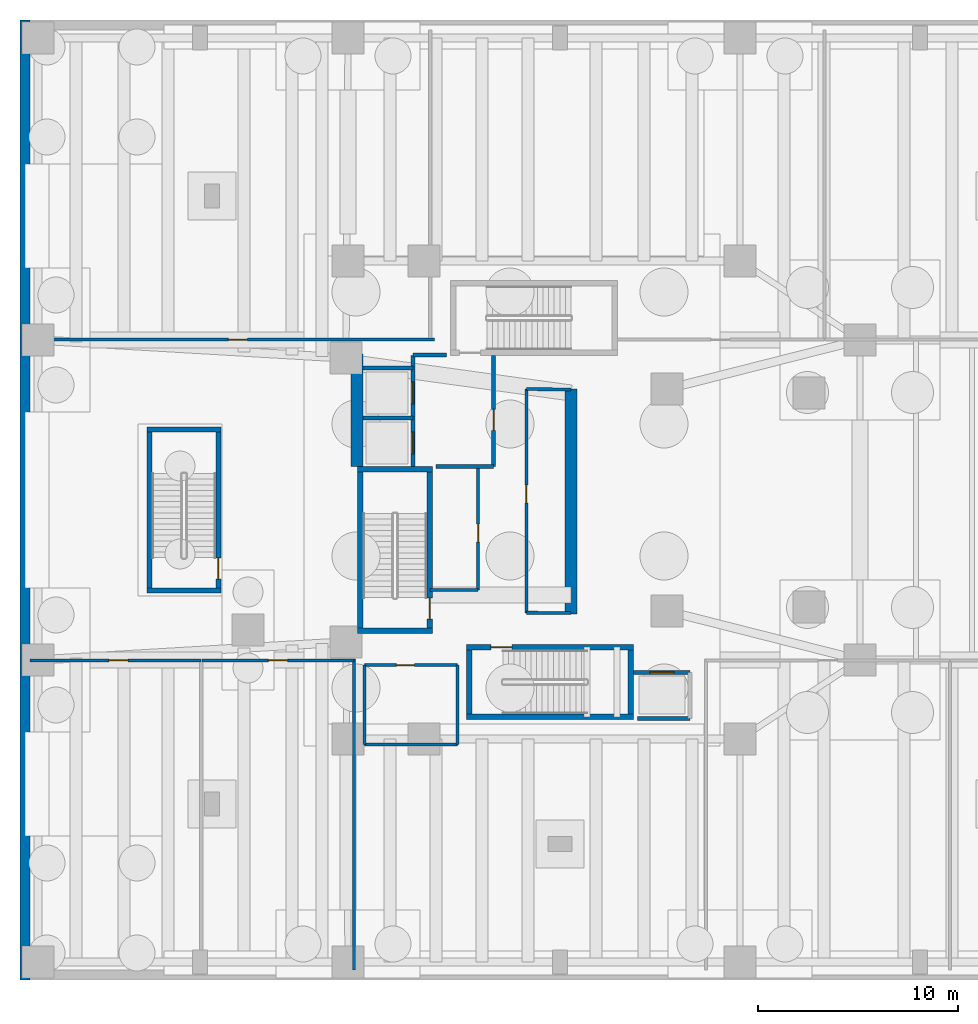
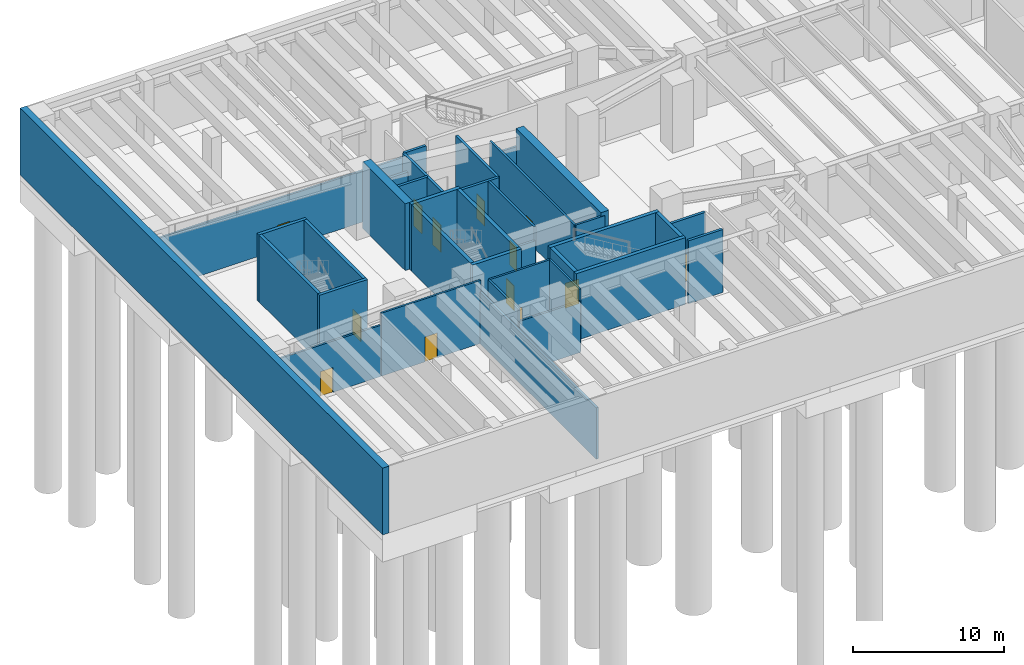
# One storey, part 4 of 10: 36 walls, 13 doors, 13 openings.
"""IFC4 building model written with IfcOpenShell, lengths in metres."""

import ifcopenshell
import ifcopenshell.guid

model = None  # the IFC model being written
_history = None  # IfcOwnerHistory: only IFC2X3 demands one
_inside = {}  # id of a spatial element -> (the spatial element, [elements in it])
_under = {}  # id of a project, library or spatial element -> (it, [spatial elements below it])
_declared = {}  # id of a project -> (the project, [libraries it declares])
_typed = {}  # id of a type object -> (the type object, [elements of that type])
_made_of = {}  # id of a material, layer set ... -> (it, [elements and type objects made of it])


def new_model(schema):
    """Start an empty IFC model of exactly this schema.

    Asked for "IFC4X3", IfcOpenShell would pick the latest addendum, in which some entities
    have other attributes; the version numbers below select the first issue.
    IFC2X3 requires an IfcOwnerHistory on every rooted entity: one is made here for all.
    """
    global model, _history
    if schema == "IFC4X3":
        model = ifcopenshell.file(schema_version=(4, 3, 0, 0))
    else:
        model = ifcopenshell.file(schema=schema)
    _inside.clear()
    _under.clear()
    _declared.clear()
    _typed.clear()
    _made_of.clear()
    _history = None
    if model.schema == "IFC2X3":
        org = make("IfcOrganization", Name="unknown")
        user = make(
            "IfcPersonAndOrganization",
            ThePerson=make("IfcPerson", FamilyName="unknown"),
            TheOrganization=org,
        )
        app = make(
            "IfcApplication",
            ApplicationDeveloper=org,
            Version="unknown",
            ApplicationFullName="unknown",
            ApplicationIdentifier="unknown",
        )
        _history = make(
            "IfcOwnerHistory",
            OwningUser=user,
            OwningApplication=app,
            ChangeAction="ADDED",
            CreationDate=0,
        )
    return model


def make(cls, **values):
    """One entity of the class cls with the attributes given. An attribute that is None is left unset."""
    return model.create_entity(
        cls, **{name: value for name, value in values.items() if value is not None}
    )


def rooted(cls, **values):
    """An entity with a GlobalId (a new one), such as an element, a storey or a relation."""
    return make(cls, GlobalId=ifcopenshell.guid.new(), OwnerHistory=_history, **values)


def si_unit(unit_type, name, prefix=None):
    """IfcSIUnit, for example si_unit("LENGTHUNIT", "METRE", prefix="MILLI")."""
    return make("IfcSIUnit", UnitType=unit_type, Prefix=prefix, Name=name)


def assignment(units):
    """IfcUnitAssignment: the units of a project."""
    return None if units is None else make("IfcUnitAssignment", Units=units)


def point(xyz):
    """IfcCartesianPoint."""
    return None if xyz is None else make("IfcCartesianPoint", Coordinates=xyz)


def direction(xyz):
    """IfcDirection."""
    return None if xyz is None else make("IfcDirection", DirectionRatios=xyz)


def frame(location, z_axis=None, x_axis=None):
    """IfcAxis2Placement3D, a coordinate frame: its origin and axes. An axis left out is left unset."""
    return make(
        "IfcAxis2Placement3D",
        Location=point(location),
        Axis=direction(z_axis),
        RefDirection=direction(x_axis),
    )


def frame_2d(location, x_axis=None):
    """IfcAxis2Placement2D, a coordinate frame in the plane: its origin and x axis."""
    return make(
        "IfcAxis2Placement2D", Location=point(location), RefDirection=direction(x_axis)
    )


def origin():
    """The frame at (0, 0, 0) with its axes left unset."""
    return frame((0.0, 0.0, 0.0))


def place(relative_to, where):
    """IfcLocalPlacement: puts the frame where relative to a parent placement (None: the world)."""
    return make(
        "IfcLocalPlacement", PlacementRelTo=relative_to, RelativePlacement=where
    )


def context(
    kind, dimensions, precision=None, world=None, true_north=None, identifier=None
):
    """IfcGeometricRepresentationContext, for example the 3D "Model" context."""
    return make(
        "IfcGeometricRepresentationContext",
        ContextIdentifier=identifier,
        ContextType=kind,
        CoordinateSpaceDimension=dimensions,
        Precision=precision,
        WorldCoordinateSystem=world,
        TrueNorth=true_north,
    )


def subcontext(parent, identifier, kind, view, scale=None):
    """IfcGeometricRepresentationSubContext, for example "Body" below "Model"."""
    return make(
        "IfcGeometricRepresentationSubContext",
        ContextIdentifier=identifier,
        ContextType=kind,
        ParentContext=parent,
        TargetScale=scale,
        TargetView=view,
    )


def project(units=None, contexts=None):
    """IfcProject with its units and contexts."""
    return rooted(
        "IfcProject",
        Name="project",
        RepresentationContexts=contexts,
        UnitsInContext=assignment(units),
    )


def spatial(cls, under=None, at=None, **own):
    """A site, building, storey or space (cls), placed at a placement, below another one or the project."""
    s = rooted(cls, ObjectPlacement=at, **own)
    if under is not None:
        _under.setdefault(under.id(), (under, []))[1].append(s)
    return s


def profile(cls, at=None, kind="AREA", **sizes):
    """A parametric profile (cls). Its sizes go by their IFC names, for example OverallWidth=200.0."""
    return make(cls, ProfileType=kind, Position=at, **sizes)


def rectangle(**sizes):
    """IfcRectangleProfileDef."""
    return profile("IfcRectangleProfileDef", **sizes)


def extrude(swept, where, along, depth):
    """IfcExtrudedAreaSolid: the profile swept, set in the frame where, extruded along a direction by depth."""
    return make(
        "IfcExtrudedAreaSolid",
        SweptArea=swept,
        Position=where,
        ExtrudedDirection=direction(along),
        Depth=depth,
    )


def shape(context_of_items, identifier, shape_type, items):
    """IfcShapeRepresentation: the items that make up one representation, for example the "Body"."""
    return make(
        "IfcShapeRepresentation",
        ContextOfItems=context_of_items,
        RepresentationIdentifier=identifier,
        RepresentationType=shape_type,
        Items=items,
    )


def material(Name=None, Category=None):
    """IfcMaterial."""
    return make("IfcMaterial", Name=Name, Category=Category)


def layer(
    of_material, thickness, ventilated=None, Name=None, Category=None, Priority=None
):
    """IfcMaterialLayer: one layer of a wall or slab, of a material (None: an air gap)."""
    return make(
        "IfcMaterialLayer",
        Material=of_material,
        LayerThickness=thickness,
        IsVentilated=ventilated,
        Name=Name,
        Category=Category,
        Priority=Priority,
    )


def layer_set(layers, Name=None):
    """IfcMaterialLayerSet."""
    return make("IfcMaterialLayerSet", MaterialLayers=layers, LayerSetName=Name)


def made_of(thing, what):
    """Note that an element or type object is made of a material, layer set ...; save() writes the relation."""
    if what is not None:
        _made_of.setdefault(what.id(), (what, []))[1].append(thing)
    return thing


def type_object(cls, material=None, **own):
    """A type object (cls), such as IfcWallType, which elements share."""
    return made_of(rooted(cls, **own), material)


def element(
    cls,
    number,
    at=None,
    inside=None,
    cuts=None,
    type_object=None,
    material=None,
    context=None,
    identifier="Body",
    shape_type=None,
    held_by="IfcProductDefinitionShape",
    body=None,
    shapes=None,
    **own,
):
    """One element of the class cls, such as IfcWall. Its Tag is "e" and its number.

    at: its placement. inside: the storey or other place that contains it. cuts: it is an
    opening in that element (IfcRelVoidsElement). A single representation is given by context,
    identifier, shape_type and body (its items); several are given by shapes. held_by: the class
    of the entity that holds the representations. save() writes the other relations.
    """
    e = rooted(cls, Tag="e%d" % number, ObjectPlacement=at, **own)
    if body is not None:
        shapes = [shape(context, identifier, shape_type, body)]
    if shapes is not None:
        e.Representation = make(held_by, Representations=shapes)
    if inside is not None:
        _inside.setdefault(inside.id(), (inside, []))[1].append(e)
    if cuts is not None:
        rooted(
            "IfcRelVoidsElement", RelatingBuildingElement=cuts, RelatedOpeningElement=e
        )
    if type_object is not None:
        _typed.setdefault(type_object.id(), (type_object, []))[1].append(e)
    return made_of(e, material)


def fill(opening, filler):
    """IfcRelFillsElement: the door or window that sits in an opening."""
    return rooted(
        "IfcRelFillsElement",
        RelatingOpeningElement=opening,
        RelatedBuildingElement=filler,
    )


def aggregate(whole, parts):
    """IfcRelAggregates: a whole, such as a stair, and the parts it consists of."""
    return rooted("IfcRelAggregates", RelatingObject=whole, RelatedObjects=parts)


def save(model, path):
    """Write the relations noted so far, then the file.

    IfcRelAggregates (storeys below a building ...), IfcRelContainedInSpatialStructure (elements
    in a storey), IfcRelDefinesByType, IfcRelAssociatesMaterial and IfcRelDeclares: one each for
    every whole, place, type object, material and project.
    """
    for whole, parts in _under.values():
        aggregate(whole, parts)
    for where, things in _inside.values():
        rooted(
            "IfcRelContainedInSpatialStructure",
            RelatedElements=things,
            RelatingStructure=where,
        )
    for kind, things in _typed.values():
        rooted("IfcRelDefinesByType", RelatedObjects=things, RelatingType=kind)
    for what, things in _made_of.values():
        rooted("IfcRelAssociatesMaterial", RelatedObjects=things, RelatingMaterial=what)
    for by, libraries in _declared.values():
        rooted("IfcRelDeclares", RelatingContext=by, RelatedDefinitions=libraries)
    model.write(path)


model = new_model("IFC4")

# Units and contexts
model_context = context("Model", 3, precision=1e-05, world=origin(), true_north=direction((0.0, 1.0)))
body_context = subcontext(model_context, "Body", "Model", "MODEL_VIEW")
ifc_project = project(units=[si_unit("LENGTHUNIT", "METRE"), si_unit("AREAUNIT", "SQUARE_METRE"), si_unit("VOLUMEUNIT", "CUBIC_METRE"), si_unit("PLANEANGLEUNIT", "RADIAN"), si_unit("MASSUNIT", "GRAM", prefix="KILO"), si_unit("THERMODYNAMICTEMPERATUREUNIT", "KELVIN"), si_unit("POWERUNIT", "WATT")], contexts=[model_context])

# Site, building, storey
site_placement = place(None, origin())
site = spatial("IfcSite", under=ifc_project, at=site_placement, CompositionType="ELEMENT")
building_placement = place(site_placement, origin())
building = spatial("IfcBuilding", under=site, at=building_placement, Name="Skarre Station Tower", CompositionType="ELEMENT")
storey_placement = place(building_placement, frame((0.0, 0.0, -10.199951171875)))
storey = spatial("IfcBuildingStorey", under=building, at=storey_placement, Name="B02", CompositionType="ELEMENT", Elevation=-10.199951171875)

# Wall
ifc_material_1 = material(Name="Concrete C50/60", Category="concrete")
ifc_layer_1 = layer(ifc_material_1, 0.5, Name="Concrete C50/60")
ifc_layer_set_1 = layer_set([ifc_layer_1], Name="Concrete C50/60")
wall_type_1 = type_object("IfcWallType", Name="Basement Perimeter Retaining Wall 500", PredefinedType="USERDEFINED", material=ifc_layer_set_1)
wall_1_placement = place(storey_placement, frame((0.25, 0.0, 0.0), z_axis=(0.0, 0.0, 1.0), x_axis=(0.0, 1.0, 0.0)))
element("IfcWall", 1, at=wall_1_placement, inside=storey, type_object=wall_type_1, Name="B02 Perimeter Retaining Wall W", ObjectType="RETAININGWALL", PredefinedType="USERDEFINED", context=body_context, shape_type="SweptSolid", body=[
    extrude(rectangle(XDim=48.0, YDim=0.5, at=frame_2d((24.0, 0.0))), origin(), (0.0, 0.0, 1.0), 5.39990234375),
])

# Wall, opening, door
ifc_material_2 = material(Name="Acoustic Steel-Stud Gypsum Partition", Category="steel")
ifc_layer_2 = layer(ifc_material_2, 0.14990234375, Name="Acoustic Steel-Stud Gypsum Partition")
ifc_layer_set_2 = layer_set([ifc_layer_2], Name="Acoustic Steel-Stud Gypsum Partition")
wall_type_2 = type_object("IfcWallType", Name="Fire-Rated Corridor Acoustic Partition 150", PredefinedType="PARTITIONING", material=ifc_layer_set_2)
wall_2_placement = place(storey_placement, frame((22.89990234375, 19.5, 0.0), z_axis=(0.0, 0.0, 1.0), x_axis=(0.0, 1.0, 0.0)))
wall_2 = element("IfcWall", 2, at=wall_2_placement, inside=storey, type_object=wall_type_2, Name="B02 Interior Partition WL-PT-B02-B3-E", PredefinedType="PARTITIONING", context=body_context, shape_type="SweptSolid", body=[
    extrude(rectangle(XDim=6.10009765625, YDim=0.159912109375, at=frame_2d((3.050048828125, 0.0))), origin(), (0.0, 0.0, 1.0), 5.08984375),
])
opening_1_placement = place(wall_2_placement, frame((2.39990234375, 0.0, 0.0)))
opening_1 = element("IfcOpeningElement", 3, at=opening_1_placement, cuts=wall_2, Name="Opening DR-SVC90", PredefinedType="OPENING", context=body_context, shape_type="SweptSolid", body=[
    extrude(rectangle(XDim=0.89990234375, YDim=2.0, at=frame_2d((0.449951171875, 1.0))), frame((0.0, 0.08984375, 0.0), z_axis=(0.0, -1.0, 0.0), x_axis=(1.0, 0.0, 0.0)), (0.0, 0.0, 1.0), 0.179931640625),
])
ifc_material_3 = material(Name="Powder-Coated Hollow-Metal Acoustic Fire Leaf", Category="steel")
door_type_1 = type_object("IfcDoorType", Name="Service & Riser Fire Door FD60 900x2100", OperationType="SINGLE_SWING_LEFT", PredefinedType="DOOR", material=ifc_material_3)
door_1_placement = place(opening_1_placement, origin())
door_1 = element("IfcDoor", 4, at=door_1_placement, inside=storey, type_object=door_type_1, Name="B02 Basement Riser Door", OperationType="SINGLE_SWING_RIGHT", OverallHeight=2.0, OverallWidth=0.89990234375, PredefinedType="DOOR", context=body_context, shape_type="SweptSolid", body=[
    extrude(rectangle(XDim=0.89990234375, YDim=2.0, at=frame_2d((0.449951171875, 1.0))), frame((0.0, 0.02490234375, 0.0), z_axis=(0.0, -1.0, 0.0), x_axis=(1.0, 0.0, 0.0)), (0.0, 0.0, 1.0), 0.050048828125),
])
fill(opening_1, door_1)

# Wall
wall_3_placement = place(storey_placement, frame((20.489990234375, 19.5, 0.0), z_axis=(0.0, 0.0, 1.0), x_axis=(1.0, 0.0, 0.0)))
element("IfcWall", 5, at=wall_3_placement, inside=storey, type_object=wall_type_2, Name="B02 Interior Partition WL-PT-B02-B3-S", PredefinedType="PARTITIONING", context=body_context, shape_type="SweptSolid", body=[
    extrude(rectangle(XDim=2.409912109375, YDim=0.159912109375, at=frame_2d((1.205078125, 0.0))), origin(), (0.0, 0.0, 1.0), 3.989990234375),
])

# Wall, opening, door
wall_4_placement = place(storey_placement, frame((25.320068359375, 29.550048828125, 0.0), z_axis=(0.0, 0.0, 1.0), x_axis=(0.0, -1.0, 0.0)))
wall_4 = element("IfcWall", 6, at=wall_4_placement, inside=storey, type_object=wall_type_2, Name="B02 Interior Partition WL-PT-B02-B12-W", PredefinedType="PARTITIONING", context=body_context, shape_type="SweptSolid", body=[
    extrude(rectangle(XDim=11.18994140625, YDim=0.159912109375, at=frame_2d((5.594970703125, 0.0))), origin(), (0.0, 0.0, 1.0), 5.08984375),
])
opening_2_placement = place(wall_4_placement, frame((4.800048828125, 0.0, 0.0)))
opening_2 = element("IfcOpeningElement", 7, at=opening_2_placement, cuts=wall_4, Name="Opening DR-SVC90", PredefinedType="OPENING", context=body_context, shape_type="SweptSolid", body=[
    extrude(rectangle(XDim=0.89990234375, YDim=2.0, at=frame_2d((0.449951171875, 1.0))), frame((0.0, 0.08984375, 0.0), z_axis=(0.0, -1.0, 0.0), x_axis=(1.0, 0.0, 0.0)), (0.0, 0.0, 1.0), 0.179931640625),
])
door_2_placement = place(opening_2_placement, origin())
door_2 = element("IfcDoor", 8, at=door_2_placement, inside=storey, type_object=door_type_1, Name="B02 Hydronic Riser Door", OperationType="SINGLE_SWING_LEFT", OverallHeight=2.0, OverallWidth=0.89990234375, PredefinedType="DOOR", context=body_context, shape_type="SweptSolid", body=[
    extrude(rectangle(XDim=0.89990234375, YDim=2.0, at=frame_2d((0.449951171875, 1.0))), frame((0.0, 0.02490234375, 0.0), z_axis=(0.0, -1.0, 0.0), x_axis=(1.0, 0.0, 0.0)), (0.0, 0.0, 1.0), 0.050048828125),
])
fill(opening_2, door_2)

# Walls
wall_5_placement = place(storey_placement, frame((25.320068359375, 18.360107421875, 0.0), z_axis=(0.0, 0.0, 1.0), x_axis=(0.999989925833, -0.004488678231, 0.0)))
element("IfcWall", 9, at=wall_5_placement, inside=storey, type_object=wall_type_2, Name="B02 Interior Partition WL-PT-B02-B12-S", PredefinedType="PARTITIONING", context=body_context, shape_type="SweptSolid", body=[
    extrude(rectangle(XDim=2.22998046875, YDim=0.159912109375, at=frame_2d((1.114990234375, 0.0))), origin(), (0.0, 0.0, 1.0), 5.08984375),
])
wall_6_placement = place(storey_placement, frame((27.550048828125, 29.52001953125, 0.0), z_axis=(0.0, 0.0, 1.0), x_axis=(-0.999909343457, 0.013464949556, 0.0)))
element("IfcWall", 10, at=wall_6_placement, inside=storey, type_object=wall_type_2, Name="B02 Interior Partition WL-PT-B02-B12-N", PredefinedType="PARTITIONING", context=body_context, shape_type="SweptSolid", body=[
    extrude(rectangle(XDim=2.230224609375, YDim=0.159912109375, at=frame_2d((1.115234375, 0.0))), origin(), (0.0, 0.0, 1.0), 3.989990234375),
])
wall_7_placement = place(storey_placement, frame((17.219970703125, 15.75, 0.0), z_axis=(0.0, 0.0, 1.0), x_axis=(0.0, -1.0, 0.0)))
element("IfcWall", 11, at=wall_7_placement, inside=storey, type_object=wall_type_2, Name="B02 Interior Partition WL-PT-B02-B02WC-W", PredefinedType="PARTITIONING", context=body_context, shape_type="SweptSolid", body=[
    extrude(rectangle(XDim=3.97998046875, YDim=0.14990234375, at=frame_2d((1.989990234375, 0.0))), origin(), (0.0, 0.0, 1.0), 5.08984375),
])
wall_8_placement = place(storey_placement, frame((17.219970703125, 11.77001953125, 0.0), z_axis=(0.0, 0.0, 1.0), x_axis=(1.0, 0.0, 0.0)))
element("IfcWall", 12, at=wall_8_placement, inside=storey, type_object=wall_type_2, Name="B02 Interior Partition WL-PT-B02-B02WC-S", PredefinedType="PARTITIONING", context=body_context, shape_type="SweptSolid", body=[
    extrude(rectangle(XDim=4.659912109375, YDim=0.14990234375, at=frame_2d((2.330078125, 0.0))), origin(), (0.0, 0.0, 1.0), 4.141845703125),
])
wall_9_placement = place(storey_placement, frame((21.8798828125, 11.77001953125, 0.0), z_axis=(0.0, 0.0, 1.0), x_axis=(0.0, 1.0, 0.0)))
element("IfcWall", 13, at=wall_9_placement, inside=storey, type_object=wall_type_2, Name="B02 Interior Partition WL-PT-B02-B02WC-E", PredefinedType="PARTITIONING", context=body_context, shape_type="SweptSolid", body=[
    extrude(rectangle(XDim=3.97998046875, YDim=0.14990234375, at=frame_2d((1.989990234375, 0.0))), origin(), (0.0, 0.0, 1.0), 5.08984375),
])

# Wall, opening, door
wall_10_placement = place(storey_placement, frame((17.219970703125, 15.75, 0.0), z_axis=(0.0, 0.0, 1.0), x_axis=(1.0, 0.0, 0.0)))
wall_10 = element("IfcWall", 14, at=wall_10_placement, inside=storey, type_object=wall_type_2, Name="B02 Interior Partition WL-PT-B02-B02WC-N", PredefinedType="PARTITIONING", context=body_context, shape_type="SweptSolid", body=[
    extrude(rectangle(XDim=4.659912109375, YDim=0.14990234375, at=frame_2d((2.330078125, 0.0))), origin(), (0.0, 0.0, 1.0), 5.08984375),
])
opening_3_placement = place(wall_10_placement, frame((1.60009765625, 0.0, 0.0)))
opening_3 = element("IfcOpeningElement", 15, at=opening_3_placement, cuts=wall_10, Name="Opening DR-SVC90", PredefinedType="OPENING", context=body_context, shape_type="SweptSolid", body=[
    extrude(rectangle(XDim=0.89990234375, YDim=2.0, at=frame_2d((0.449951171875, 1.0))), frame((0.0, 0.0849609375, 0.0), z_axis=(0.0, -1.0, 0.0), x_axis=(1.0, 0.0, 0.0)), (0.0, 0.0, 1.0), 0.169921875),
])
door_3_placement = place(opening_3_placement, origin())
door_3 = element("IfcDoor", 16, at=door_3_placement, inside=storey, type_object=door_type_1, Name="B02 Staff Accessible Restroom Door", OperationType="SINGLE_SWING_LEFT", OverallHeight=2.0, OverallWidth=0.89990234375, PredefinedType="DOOR", context=body_context, shape_type="SweptSolid", body=[
    extrude(rectangle(XDim=0.89990234375, YDim=2.0, at=frame_2d((0.449951171875, 1.0))), frame((0.0, 0.02490234375, 0.0), z_axis=(0.0, -1.0, 0.0), x_axis=(1.0, 0.0, 0.0)), (0.0, 0.0, 1.0), 0.050048828125),
])
fill(opening_3, door_3)

wall_11_placement = place(storey_placement, frame((0.4951171875, 15.97998046875, 0.0), z_axis=(0.0, 0.0, 1.0), x_axis=(1.0, 0.0, 0.0)))
wall_11 = element("IfcWall", 17, at=wall_11_placement, inside=storey, type_object=wall_type_2, Name="B02 Interior Partition WL-PT-B02-PDSW1-CW", PredefinedType="PARTITIONING", context=body_context, shape_type="SweptSolid", body=[
    extrude(rectangle(XDim=8.546875, YDim=0.14990234375, at=frame_2d((4.2734375, 0.0))), origin(), (0.0, 0.0, 1.0), 4.141845703125),
])
opening_4_placement = place(wall_11_placement, frame((3.946044921875, 0.0, 0.0)))
opening_4 = element("IfcOpeningElement", 18, at=opening_4_placement, cuts=wall_11, Name="Opening DR-FD60", PredefinedType="OPENING", context=body_context, shape_type="SweptSolid", body=[
    extrude(rectangle(XDim=0.9599609375, YDim=2.0, at=frame_2d((0.47998046875, 1.0))), frame((0.0, 0.0849609375, 0.0), z_axis=(0.0, -1.0, 0.0), x_axis=(1.0, 0.0, 0.0)), (0.0, 0.0, 1.0), 0.169921875),
])
ifc_material_4 = material(Name="Nordic White-Oak Veneer Solid-Core Fire Leaf", Category="wood")
door_type_2 = type_object("IfcDoorType", Name="Corridor Suite Entry Fire Door FD60 960x2150", OperationType="SINGLE_SWING_LEFT", PredefinedType="DOOR", material=ifc_material_4)
door_4_placement = place(opening_4_placement, origin())
door_4 = element("IfcDoor", 19, at=door_4_placement, inside=storey, type_object=door_type_2, Name="B02 PDSW1 Entry Door", OperationType="SINGLE_SWING_LEFT", OverallHeight=2.0, OverallWidth=0.9599609375, PredefinedType="DOOR", context=body_context, shape_type="SweptSolid", body=[
    extrude(rectangle(XDim=0.9599609375, YDim=2.0, at=frame_2d((0.47998046875, 1.0))), frame((0.0, 0.02490234375, 0.0), z_axis=(0.0, -1.0, 0.0), x_axis=(1.0, 0.0, 0.0)), (0.0, 0.0, 1.0), 0.050048828125),
])
fill(opening_4, door_4)

wall_12_placement = place(storey_placement, frame((9.093994140625, 15.97998046875, 0.0), z_axis=(0.0, 0.0, 1.0), x_axis=(1.0, 0.0, 0.0)))
wall_12 = element("IfcWall", 20, at=wall_12_placement, inside=storey, type_object=wall_type_2, Name="B02 Interior Partition WL-PT-B02-PDSW2-CW", PredefinedType="PARTITIONING", context=body_context, shape_type="SweptSolid", body=[
    extrude(rectangle(XDim=7.60595703125, YDim=0.14990234375, at=frame_2d((3.802978515625, 0.0))), origin(), (0.0, 0.0, 1.0), 5.08984375),
])
opening_5_placement = place(wall_12_placement, frame((3.322998046875, 0.0, 0.0)))
opening_5 = element("IfcOpeningElement", 21, at=opening_5_placement, cuts=wall_12, Name="Opening DR-FD60", PredefinedType="OPENING", context=body_context, shape_type="SweptSolid", body=[
    extrude(rectangle(XDim=0.9599609375, YDim=2.0, at=frame_2d((0.47998046875, 1.0))), frame((0.0, 0.0849609375, 0.0), z_axis=(0.0, -1.0, 0.0), x_axis=(1.0, 0.0, 0.0)), (0.0, 0.0, 1.0), 0.169921875),
])
door_5_placement = place(opening_5_placement, origin())
door_5 = element("IfcDoor", 22, at=door_5_placement, inside=storey, type_object=door_type_2, Name="B02 PDSW2 Entry Door", OperationType="SINGLE_SWING_LEFT", OverallHeight=2.0, OverallWidth=0.9599609375, PredefinedType="DOOR", context=body_context, shape_type="SweptSolid", body=[
    extrude(rectangle(XDim=0.9599609375, YDim=2.0, at=frame_2d((0.47998046875, 1.0))), frame((0.0, 0.02490234375, 0.0), z_axis=(0.0, -1.0, 0.0), x_axis=(1.0, 0.0, 0.0)), (0.0, 0.0, 1.0), 0.050048828125),
])
fill(opening_5, door_5)

wall_13_placement = place(storey_placement, frame((20.736083984375, 32.02001953125, 0.0), z_axis=(0.0, 0.0, 1.0), x_axis=(-1.0, 0.0, 0.0)))
wall_13 = element("IfcWall", 23, at=wall_13_placement, inside=storey, type_object=wall_type_2, Name="B02 Interior Partition WL-PT-B02-PDN1-CW", PredefinedType="PARTITIONING", context=body_context, shape_type="SweptSolid", body=[
    extrude(rectangle(XDim=20.240966796875, YDim=0.14990234375, at=frame_2d((10.12060546875, 0.0))), origin(), (0.0, 0.0, 1.0), 4.141845703125),
])
opening_6_placement = place(wall_13_placement, frame((9.363037109375, 0.0, 0.0)))
opening_6 = element("IfcOpeningElement", 24, at=opening_6_placement, cuts=wall_13, Name="Opening DR-FD60", PredefinedType="OPENING", context=body_context, shape_type="SweptSolid", body=[
    extrude(rectangle(XDim=0.9599609375, YDim=2.0, at=frame_2d((0.47998046875, 1.0))), frame((0.0, 0.0849609375, 0.0), z_axis=(0.0, -1.0, 0.0), x_axis=(1.0, 0.0, 0.0)), (0.0, 0.0, 1.0), 0.169921875),
])
door_6_placement = place(opening_6_placement, origin())
door_6 = element("IfcDoor", 25, at=door_6_placement, inside=storey, type_object=door_type_2, Name="B02 PDN1 Entry Door", OperationType="SINGLE_SWING_LEFT", OverallHeight=2.0, OverallWidth=0.9599609375, PredefinedType="DOOR", context=body_context, shape_type="SweptSolid", body=[
    extrude(rectangle(XDim=0.9599609375, YDim=2.0, at=frame_2d((0.47998046875, 1.0))), frame((0.0, 0.02490234375, 0.0), z_axis=(0.0, -1.0, 0.0), x_axis=(1.0, 0.0, 0.0)), (0.0, 0.0, 1.0), 0.050048828125),
])
fill(opening_6, door_6)

# Walls
ifc_layer_3 = layer(ifc_material_1, 0.239990234375, Name="Concrete C50/60")
ifc_layer_set_3 = layer_set([ifc_layer_3], Name="Concrete C50/60")
wall_type_3 = type_object("IfcWallType", Name="RC Core Shear Wall 240", PredefinedType="SHEAR", material=ifc_layer_set_3)
for number, where, z_axis, x_axis, name in (
    (26, (6.360107421875, 19.47998046875, 0.0), (0.0, 0.0, 1.0), (1.0, 0.0, 0.0), "B02 Podium Stair ST-4 South Shear Wall"),
    (27, (10.0400390625, 27.52001953125, 0.0), (0.0, 0.0, 1.0), (-1.0, 0.0, 0.0), "B02 Podium Stair ST-4 North Shear Wall"),
):
    element("IfcWall", number, at=place(storey_placement, frame(where, z_axis=z_axis, x_axis=x_axis)), inside=storey, type_object=wall_type_3, Name=name, PredefinedType="SHEAR", context=body_context, shape_type="SweptSolid", body=[
        extrude(rectangle(XDim=3.679931640625, YDim=0.239990234375, at=frame_2d((1.83984375, 0.0))), origin(), (0.0, 0.0, 1.0), 5.39990234375),
    ])
wall_14_placement = place(storey_placement, frame((6.47998046875, 27.39990234375, 0.0), z_axis=(0.0, 0.0, 1.0), x_axis=(0.0, -1.0, 0.0)))
element("IfcWall", 28, at=wall_14_placement, inside=storey, type_object=wall_type_3, Name="B02 Podium Stair ST-4 West Shear Wall", PredefinedType="SHEAR", context=body_context, shape_type="SweptSolid", body=[
    extrude(rectangle(XDim=7.7998046875, YDim=0.239990234375, at=frame_2d((3.89990234375, 0.0))), origin(), (0.0, 0.0, 1.0), 5.39990234375),
])

# Wall, opening, door
wall_15_placement = place(storey_placement, frame((9.919921875, 19.60009765625, 0.0), z_axis=(0.0, 0.0, 1.0), x_axis=(0.0, 1.0, 0.0)))
wall_15 = element("IfcWall", 29, at=wall_15_placement, inside=storey, type_object=wall_type_3, Name="B02 Podium Stair ST-4 East Shear Wall", PredefinedType="SHEAR", context=body_context, shape_type="SweptSolid", body=[
    extrude(rectangle(XDim=7.7998046875, YDim=0.239990234375, at=frame_2d((3.89990234375, 0.0))), origin(), (0.0, 0.0, 1.0), 5.39990234375),
])
opening_7_placement = place(wall_15_placement, frame((0.43994140625, 0.0, 0.0)))
opening_7 = element("IfcOpeningElement", 30, at=opening_7_placement, cuts=wall_15, Name="Opening DR-FD90", PredefinedType="OPENING", context=body_context, shape_type="SweptSolid", body=[
    extrude(rectangle(XDim=1.050048828125, YDim=2.0, at=frame_2d((0.52490234375, 1.0))), frame((0.0, 0.1298828125, 0.0), z_axis=(0.0, -1.0, 0.0), x_axis=(1.0, 0.0, 0.0)), (0.0, 0.0, 1.0), 0.260009765625),
])
ifc_material_5 = material(Name="Fire-Rated Insulated Steel Frame & Timber Core Leaf", Category="steel")
door_type_3 = type_object("IfcDoorType", Name="Stair & FSAE Lobby Fire Door FD90 1050x2150", OperationType="SINGLE_SWING_RIGHT", PredefinedType="DOOR", material=ifc_material_5)
door_7_placement = place(opening_7_placement, origin())
door_7 = element("IfcDoor", 31, at=door_7_placement, inside=storey, type_object=door_type_3, Name="B02 Podium Stair ST-4 Exit Door", OperationType="SINGLE_SWING_RIGHT", OverallHeight=2.0, OverallWidth=1.050048828125, PredefinedType="DOOR", context=body_context, shape_type="SweptSolid", body=[
    extrude(rectangle(XDim=1.050048828125, YDim=2.0, at=frame_2d((0.52490234375, 1.0))), frame((0.0, 0.02490234375, 0.0), z_axis=(0.0, -1.0, 0.0), x_axis=(1.0, 0.0, 0.0)), (0.0, 0.0, 1.0), 0.050048828125),
])
fill(opening_7, door_7)

# Walls
ifc_layer_4 = layer(ifc_material_1, 0.280029296875, Name="Concrete C50/60")
ifc_layer_set_4 = layer_set([ifc_layer_4], Name="Concrete C50/60")
wall_type_4 = type_object("IfcWallType", Name="RC Core Shear Wall 280", PredefinedType="SHEAR", material=ifc_layer_set_4)
for number, where, z_axis, x_axis, name in (
    (32, (16.8701171875, 17.4599609375, 0.0), (0.0, 0.0, 1.0), (1.0, 0.0, 0.0), "B02 Stair ST-1 South Shear Wall"),
    (33, (20.6298828125, 25.5400390625, 0.0), (0.0, 0.0, 1.0), (-1.0, 0.0, 0.0), "B02 Stair ST-1 North Shear Wall"),
):
    element("IfcWall", number, at=place(storey_placement, frame(where, z_axis=z_axis, x_axis=x_axis)), inside=storey, type_object=wall_type_4, Name=name, PredefinedType="SHEAR", context=body_context, shape_type="SweptSolid", body=[
        extrude(rectangle(XDim=3.759765625, YDim=0.280029296875, at=frame_2d((1.8798828125, 0.0))), origin(), (0.0, 0.0, 1.0), 5.39990234375),
    ])
wall_16_placement = place(storey_placement, frame((17.010009765625, 25.39990234375, 0.0), z_axis=(0.0, 0.0, 1.0), x_axis=(0.0, -1.0, 0.0)))
element("IfcWall", 34, at=wall_16_placement, inside=storey, type_object=wall_type_4, Name="B02 Stair ST-1 West Shear Wall", PredefinedType="SHEAR", context=body_context, shape_type="SweptSolid", body=[
    extrude(rectangle(XDim=7.7998046875, YDim=0.280029296875, at=frame_2d((3.89990234375, 0.0))), origin(), (0.0, 0.0, 1.0), 5.39990234375),
])

# Wall, opening, door
wall_17_placement = place(storey_placement, frame((20.489990234375, 17.60009765625, 0.0), z_axis=(0.0, 0.0, 1.0), x_axis=(0.0, 1.0, 0.0)))
wall_17 = element("IfcWall", 35, at=wall_17_placement, inside=storey, type_object=wall_type_4, Name="B02 Stair ST-1 East Shear Wall", PredefinedType="SHEAR", context=body_context, shape_type="SweptSolid", body=[
    extrude(rectangle(XDim=7.7998046875, YDim=0.280029296875, at=frame_2d((3.89990234375, 0.0))), origin(), (0.0, 0.0, 1.0), 5.39990234375),
])
opening_8_placement = place(wall_17_placement, frame((0.43994140625, 0.0, 0.0)))
opening_8 = element("IfcOpeningElement", 36, at=opening_8_placement, cuts=wall_17, Name="Opening DR-FD90", PredefinedType="OPENING", context=body_context, shape_type="SweptSolid", body=[
    extrude(rectangle(XDim=1.050048828125, YDim=2.0, at=frame_2d((0.52490234375, 1.0))), frame((0.0, 0.14990234375, 0.0), z_axis=(0.0, -1.0, 0.0), x_axis=(1.0, 0.0, 0.0)), (0.0, 0.0, 1.0), 0.300048828125),
])
door_8_placement = place(opening_8_placement, origin())
door_8 = element("IfcDoor", 37, at=door_8_placement, inside=storey, type_object=door_type_3, Name="B02 Stair ST-1 Exit Door", OperationType="SINGLE_SWING_RIGHT", OverallHeight=2.0, OverallWidth=1.050048828125, PredefinedType="DOOR", context=body_context, shape_type="SweptSolid", body=[
    extrude(rectangle(XDim=1.050048828125, YDim=2.0, at=frame_2d((0.52490234375, 1.0))), frame((0.0, 0.02490234375, 0.0), z_axis=(0.0, -1.0, 0.0), x_axis=(1.0, 0.0, 0.0)), (0.0, 0.0, 1.0), 0.050048828125),
])
fill(opening_8, door_8)

# Wall
wall_18_placement = place(storey_placement, frame((22.320068359375, 13.159912109375, 0.0), z_axis=(0.0, 0.0, 1.0), x_axis=(1.0, 0.0, 0.0)))
element("IfcWall", 38, at=wall_18_placement, inside=storey, type_object=wall_type_4, Name="B02 Stair ST-2 South Shear Wall", PredefinedType="SHEAR", context=body_context, shape_type="SweptSolid", body=[
    extrude(rectangle(XDim=8.35986328125, YDim=0.280029296875, at=frame_2d((4.179931640625, 0.0))), origin(), (0.0, 0.0, 1.0), 5.39990234375),
])

# Wall, opening, door
wall_19_placement = place(storey_placement, frame((30.679931640625, 16.639892578125, 0.0), z_axis=(0.0, 0.0, 1.0), x_axis=(-1.0, 0.0, 0.0)))
wall_19 = element("IfcWall", 39, at=wall_19_placement, inside=storey, type_object=wall_type_4, Name="B02 Stair ST-2 North Shear Wall", PredefinedType="SHEAR", context=body_context, shape_type="SweptSolid", body=[
    extrude(rectangle(XDim=8.35986328125, YDim=0.280029296875, at=frame_2d((4.179931640625, 0.0))), origin(), (0.0, 0.0, 1.0), 5.39990234375),
])
opening_9_placement = place(wall_19_placement, frame((6.080078125, 0.0, 0.0)))
opening_9 = element("IfcOpeningElement", 40, at=opening_9_placement, cuts=wall_19, Name="Opening DR-FD90", PredefinedType="OPENING", context=body_context, shape_type="SweptSolid", body=[
    extrude(rectangle(XDim=1.050048828125, YDim=2.0, at=frame_2d((0.52490234375, 1.0))), frame((0.0, 0.14990234375, 0.0), z_axis=(0.0, -1.0, 0.0), x_axis=(1.0, 0.0, 0.0)), (0.0, 0.0, 1.0), 0.300048828125),
])
door_9_placement = place(opening_9_placement, origin())
door_9 = element("IfcDoor", 41, at=door_9_placement, inside=storey, type_object=door_type_3, Name="B02 Stair ST-2 Exit Door", OperationType="SINGLE_SWING_RIGHT", OverallHeight=2.0, OverallWidth=1.050048828125, PredefinedType="DOOR", context=body_context, shape_type="SweptSolid", body=[
    extrude(rectangle(XDim=1.050048828125, YDim=2.0, at=frame_2d((0.52490234375, 1.0))), frame((0.0, 0.02490234375, 0.0), z_axis=(0.0, -1.0, 0.0), x_axis=(1.0, 0.0, 0.0)), (0.0, 0.0, 1.0), 0.050048828125),
])
fill(opening_9, door_9)

# Walls
for number, where, z_axis, x_axis, name in (
    (42, (22.4599609375, 16.5, 0.0), (0.0, 0.0, 1.0), (0.0, -1.0, 0.0), "B02 Stair ST-2 West Shear Wall"),
    (43, (30.5400390625, 13.300048828125, 0.0), (0.0, 0.0, 1.0), (0.0, 1.0, 0.0), "B02 Stair ST-2 East Shear Wall"),
):
    element("IfcWall", number, at=place(storey_placement, frame(where, z_axis=z_axis, x_axis=x_axis)), inside=storey, type_object=wall_type_4, Name=name, PredefinedType="SHEAR", context=body_context, shape_type="SweptSolid", body=[
        extrude(rectangle(XDim=3.199951171875, YDim=0.280029296875, at=frame_2d((1.60009765625, 0.0))), origin(), (0.0, 0.0, 1.0), 5.39990234375),
    ])
ifc_material_6 = material(Name="Concrete C70/85", Category="concrete")
ifc_layer_5 = layer(ifc_material_6, 0.60009765625, Name="Concrete C70/85")
ifc_layer_set_5 = layer_set([ifc_layer_5], Name="Concrete C70/85")
wall_type_5 = type_object("IfcWallType", Name="RC Core Shear Wall 600", PredefinedType="SHEAR", material=ifc_layer_set_5)
wall_20_placement = place(storey_placement, frame((16.85009765625, 25.679931640625, 0.0), z_axis=(0.0, 0.0, 1.0), x_axis=(0.0, 1.0, 0.0)))
element("IfcWall", 44, at=wall_20_placement, inside=storey, type_object=wall_type_5, Name="B02 Core West-North Shear Wall", PredefinedType="SHEAR", context=body_context, shape_type="SweptSolid", body=[
    extrude(rectangle(XDim=5.6201171875, YDim=0.60009765625, at=frame_2d((2.81005859375, 0.0))), origin(), (0.0, 0.0, 1.0), 5.39990234375),
])
wall_21_placement = place(storey_placement, frame((27.550048828125, 29.550048828125, 0.0), z_axis=(0.0, 0.0, 1.0), x_axis=(0.0, -1.0, 0.0)))
element("IfcWall", 45, at=wall_21_placement, inside=storey, type_object=wall_type_5, Name="B02 Core East Atrium Shear Wall", PredefinedType="SHEAR", context=body_context, shape_type="SweptSolid", body=[
    extrude(rectangle(XDim=11.25, YDim=0.60009765625, at=frame_2d((5.625, 0.0))), origin(), (0.0, 0.0, 1.0), 5.39990234375),
])

# Wall, openings, doors
ifc_material_7 = material(Name="Gypsum Concrete Shaft Assembly C30/37", Category="concrete")
ifc_layer_6 = layer(ifc_material_7, 0.199951171875, Name="Gypsum Concrete Shaft Assembly C30/37")
ifc_layer_set_6 = layer_set([ifc_layer_6], Name="Gypsum Concrete Shaft Assembly C30/37")
wall_type_6 = type_object("IfcWallType", Name="Shaft & Core Fire Partition 200", PredefinedType="PARTITIONING", material=ifc_layer_set_6)
wall_22_placement = place(storey_placement, frame((19.64990234375, 25.679931640625, 0.0), z_axis=(0.0, 0.0, 1.0), x_axis=(0.0, 1.0, 0.0)))
wall_22 = element("IfcWall", 46, at=wall_22_placement, inside=storey, type_object=wall_type_6, Name="B02 Interior Partition WL-PT-B02-FSAE-W", PredefinedType="PARTITIONING", context=body_context, shape_type="SweptSolid", body=[
    extrude(rectangle(XDim=5.5400390625, YDim=0.199951171875, at=frame_2d((2.77001953125, 0.0))), origin(), (0.0, 0.0, 1.0), 5.08984375),
])
opening_10_placement = place(wall_22_placement, frame((0.6201171875, 0.0, 0.0)))
opening_10 = element("IfcOpeningElement", 47, at=opening_10_placement, cuts=wall_22, Name="Opening LD-FF1", PredefinedType="OPENING", context=body_context, shape_type="SweptSolid", body=[
    extrude(rectangle(XDim=1.10009765625, YDim=2.199951171875, at=frame_2d((0.550048828125, 1.10009765625))), frame((0.0, 0.10986328125, 0.0), z_axis=(0.0, -1.0, 0.0), x_axis=(1.0, 0.0, 0.0)), (0.0, 0.0, 1.0), 0.219970703125),
])
opening_11_placement = place(wall_22_placement, frame((3.1201171875, 0.0, 0.0)))
opening_11 = element("IfcOpeningElement", 48, at=opening_11_placement, cuts=wall_22, Name="Opening LD-FF2", PredefinedType="OPENING", context=body_context, shape_type="SweptSolid", body=[
    extrude(rectangle(XDim=1.10009765625, YDim=2.199951171875, at=frame_2d((0.550048828125, 1.10009765625))), frame((0.0, 0.10986328125, 0.0), z_axis=(0.0, -1.0, 0.0), x_axis=(1.0, 0.0, 0.0)), (0.0, 0.0, 1.0), 0.219970703125),
])
ifc_material_8 = material(Name="Fire-Rated Stainless Steel Grade 316L Sliding Leaves", Category="steel")
door_type_4 = type_object("IfcDoorType", Name="Fire Service Access Elevator Sliding Landing Door 1100x2200", OperationType="SLIDING_TO_LEFT", PredefinedType="DOOR", material=ifc_material_8)
door_10_placement = place(opening_10_placement, origin())
door_10 = element("IfcDoor", 49, at=door_10_placement, inside=storey, type_object=door_type_4, Name="B02 Firefighting Lift LF-FF1 Landing Door", OperationType="SLIDING_TO_LEFT", OverallHeight=2.199951171875, OverallWidth=1.10009765625, PredefinedType="DOOR", context=body_context, shape_type="SweptSolid", body=[
    extrude(rectangle(XDim=1.10009765625, YDim=2.199951171875, at=frame_2d((0.550048828125, 1.10009765625))), frame((0.0, 0.02490234375, 0.0), z_axis=(0.0, -1.0, 0.0), x_axis=(1.0, 0.0, 0.0)), (0.0, 0.0, 1.0), 0.050048828125),
])
fill(opening_10, door_10)
door_11_placement = place(opening_11_placement, origin())
door_11 = element("IfcDoor", 50, at=door_11_placement, inside=storey, type_object=door_type_4, Name="B02 Firefighting Lift LF-FF2 Landing Door", OperationType="SLIDING_TO_LEFT", OverallHeight=2.199951171875, OverallWidth=1.10009765625, PredefinedType="DOOR", context=body_context, shape_type="SweptSolid", body=[
    extrude(rectangle(XDim=1.10009765625, YDim=2.199951171875, at=frame_2d((0.550048828125, 1.10009765625))), frame((0.0, 0.02490234375, 0.0), z_axis=(0.0, -1.0, 0.0), x_axis=(1.0, 0.0, 0.0)), (0.0, 0.0, 1.0), 0.050048828125),
])
fill(opening_11, door_11)

# Wall
wall_23_placement = place(storey_placement, frame((20.79296875, 25.679931640625, 0.0), z_axis=(0.0, 0.0, 1.0), x_axis=(1.0, 0.0, 0.0)))
element("IfcWall", 51, at=wall_23_placement, inside=storey, type_object=wall_type_6, Name="B02 Interior Partition WL-PT-B02-FSAE-S", PredefinedType="PARTITIONING", context=body_context, shape_type="SweptSolid", body=[
    extrude(rectangle(XDim=2.886962890625, YDim=0.199951171875, at=frame_2d((1.443359375, 0.0))), origin(), (0.0, 0.0, 1.0), 5.08984375),
])

# Wall, opening, door
wall_24_placement = place(storey_placement, frame((23.679931640625, 25.679931640625, 0.0), z_axis=(0.0, 0.0, 1.0), x_axis=(0.0, 1.0, 0.0)))
wall_24 = element("IfcWall", 52, at=wall_24_placement, inside=storey, type_object=wall_type_6, Name="B02 Interior Partition WL-PT-B02-FSAE-E", PredefinedType="PARTITIONING", context=body_context, shape_type="SweptSolid", body=[
    extrude(rectangle(XDim=5.5400390625, YDim=0.199951171875, at=frame_2d((2.77001953125, 0.0))), origin(), (0.0, 0.0, 1.0), 5.08984375),
])
opening_12_placement = place(wall_24_placement, frame((1.800048828125, 0.0, 0.0)))
opening_12 = element("IfcOpeningElement", 53, at=opening_12_placement, cuts=wall_24, Name="Opening DR-FD90", PredefinedType="OPENING", context=body_context, shape_type="SweptSolid", body=[
    extrude(rectangle(XDim=1.050048828125, YDim=2.0, at=frame_2d((0.52490234375, 1.0))), frame((0.0, 0.10986328125, 0.0), z_axis=(0.0, -1.0, 0.0), x_axis=(1.0, 0.0, 0.0)), (0.0, 0.0, 1.0), 0.219970703125),
])
door_12_placement = place(opening_12_placement, origin())
door_12 = element("IfcDoor", 54, at=door_12_placement, inside=storey, type_object=door_type_3, Name="B02 FSAE Lobby Fire Door", OperationType="SINGLE_SWING_RIGHT", OverallHeight=2.0, OverallWidth=1.050048828125, PredefinedType="DOOR", context=body_context, shape_type="SweptSolid", body=[
    extrude(rectangle(XDim=1.050048828125, YDim=2.0, at=frame_2d((0.52490234375, 1.0))), frame((0.0, 0.02490234375, 0.0), z_axis=(0.0, -1.0, 0.0), x_axis=(1.0, 0.0, 0.0)), (0.0, 0.0, 1.0), 0.050048828125),
])
fill(opening_12, door_12)

# Walls
wall_25_placement = place(storey_placement, frame((21.330078125, 31.260009765625, 0.0), z_axis=(0.0, 0.0, 1.0), x_axis=(-1.0, 0.0, 0.0)))
element("IfcWall", 55, at=wall_25_placement, inside=storey, type_object=wall_type_6, Name="B02 Interior Partition WL-PT-B02-FSAE-N", PredefinedType="PARTITIONING", context=body_context, shape_type="SweptSolid", body=[
    extrude(rectangle(XDim=1.68017578125, YDim=0.199951171875, at=frame_2d((0.840087890625, 0.0))), origin(), (0.0, 0.0, 1.0), 5.08984375),
])
wall_26_placement = place(storey_placement, frame((17.14990234375, 28.10009765625, 0.0), z_axis=(0.0, 0.0, 1.0), x_axis=(1.0, 0.0, 0.0)))
element("IfcWall", 56, at=wall_26_placement, inside=storey, type_object=wall_type_6, Name="B02 Interior Partition WL-PT-B02-FF-DIV", PredefinedType="PARTITIONING", context=body_context, shape_type="SweptSolid", body=[
    extrude(rectangle(XDim=2.5, YDim=0.199951171875, at=frame_2d((1.25, 0.0))), origin(), (0.0, 0.0, 1.0), 5.08984375),
])
wall_27_placement = place(storey_placement, frame((19.64990234375, 30.60009765625, 0.0), z_axis=(0.0, 0.0, 1.0), x_axis=(-1.0, 0.0, 0.0)))
element("IfcWall", 57, at=wall_27_placement, inside=storey, type_object=wall_type_6, Name="B02 Interior Partition WL-PT-B02-FF-N", PredefinedType="PARTITIONING", context=body_context, shape_type="SweptSolid", body=[
    extrude(rectangle(XDim=2.5, YDim=0.199951171875, at=frame_2d((1.25, 0.0))), origin(), (0.0, 0.0, 1.0), 3.989990234375),
])

# Wall, opening, door
wall_28_placement = place(storey_placement, frame((33.5, 15.3798828125, 0.0), z_axis=(0.0, 0.0, 1.0), x_axis=(-1.0, 0.0, 0.0)))
wall_28 = element("IfcWall", 58, at=wall_28_placement, inside=storey, type_object=wall_type_6, Name="B02 Interior Partition WL-PT-B02-SV1-N", PredefinedType="PARTITIONING", context=body_context, shape_type="SweptSolid", body=[
    extrude(rectangle(XDim=2.820068359375, YDim=0.199951171875, at=frame_2d((1.41015625, 0.0))), origin(), (0.0, 0.0, 1.0), 5.08984375),
])
opening_13_placement = place(wall_28_placement, frame((0.800048828125, 0.0, 0.0)))
opening_13 = element("IfcOpeningElement", 59, at=opening_13_placement, cuts=wall_28, Name="Opening LD-SV1", PredefinedType="OPENING", context=body_context, shape_type="SweptSolid", body=[
    extrude(rectangle(XDim=1.199951171875, YDim=2.199951171875, at=frame_2d((0.60009765625, 1.10009765625))), frame((0.0, 0.10986328125, 0.0), z_axis=(0.0, -1.0, 0.0), x_axis=(1.0, 0.0, 0.0)), (0.0, 0.0, 1.0), 0.219970703125),
])
ifc_material_9 = material(Name="Heavy-Gauge Brushed Stainless Steel Sliding Leaves", Category="steel")
door_type_5 = type_object("IfcDoorType", Name="Service Elevator Wide Sliding Landing Door 1200x2200", OperationType="SLIDING_TO_RIGHT", PredefinedType="DOOR", material=ifc_material_9)
door_13_placement = place(opening_13_placement, origin())
door_13 = element("IfcDoor", 60, at=door_13_placement, inside=storey, type_object=door_type_5, Name="B02 Service Lift LF-SV1 Landing Door", OperationType="SLIDING_TO_RIGHT", OverallHeight=2.199951171875, OverallWidth=1.199951171875, PredefinedType="DOOR", context=body_context, shape_type="SweptSolid", body=[
    extrude(rectangle(XDim=1.199951171875, YDim=2.199951171875, at=frame_2d((0.60009765625, 1.10009765625))), frame((0.0, 0.02490234375, 0.0), z_axis=(0.0, -1.0, 0.0), x_axis=(1.0, 0.0, 0.0)), (0.0, 0.0, 1.0), 0.050048828125),
])
fill(opening_13, door_13)

# Walls
wall_29_placement = place(storey_placement, frame((30.87890625, 13.080078125, 0.0), z_axis=(0.0, 0.0, 1.0), x_axis=(1.0, 0.0, 0.0)))
element("IfcWall", 61, at=wall_29_placement, inside=storey, type_object=wall_type_6, Name="B02 Interior Partition WL-PT-B02-SV1-S", PredefinedType="PARTITIONING", context=body_context, shape_type="SweptSolid", body=[
    extrude(rectangle(XDim=2.62109375, YDim=0.199951171875, at=frame_2d((1.310546875, 0.0))), origin(), (0.0, 0.0, 1.0), 5.08984375),
])
ifc_layer_7 = layer(ifc_material_2, 0.1650390625, Name="Acoustic Steel-Stud Gypsum Partition")
ifc_layer_set_7 = layer_set([ifc_layer_7], Name="Acoustic Steel-Stud Gypsum Partition")
wall_type_7 = type_object("IfcWallType", Name="Suite Demising Acoustic Partition 165", PredefinedType="PARTITIONING", material=ifc_layer_set_7)
wall_30_placement = place(storey_placement, frame((16.699951171875, 0.4951171875, 0.0), z_axis=(0.0, 0.0, 1.0), x_axis=(0.0, 1.0, 0.0)))
element("IfcWall", 62, at=wall_30_placement, inside=storey, type_object=wall_type_7, Name="B02 Interior Partition WL-PT-B02-PDSW-E", PredefinedType="PARTITIONING", context=body_context, shape_type="SweptSolid", body=[
    extrude(rectangle(XDim=15.554931640625, YDim=0.1650390625, at=frame_2d((7.77734375, 0.0))), origin(), (0.0, 0.0, 1.0), 4.162841796875),
])

save(model, "model.ifc")
